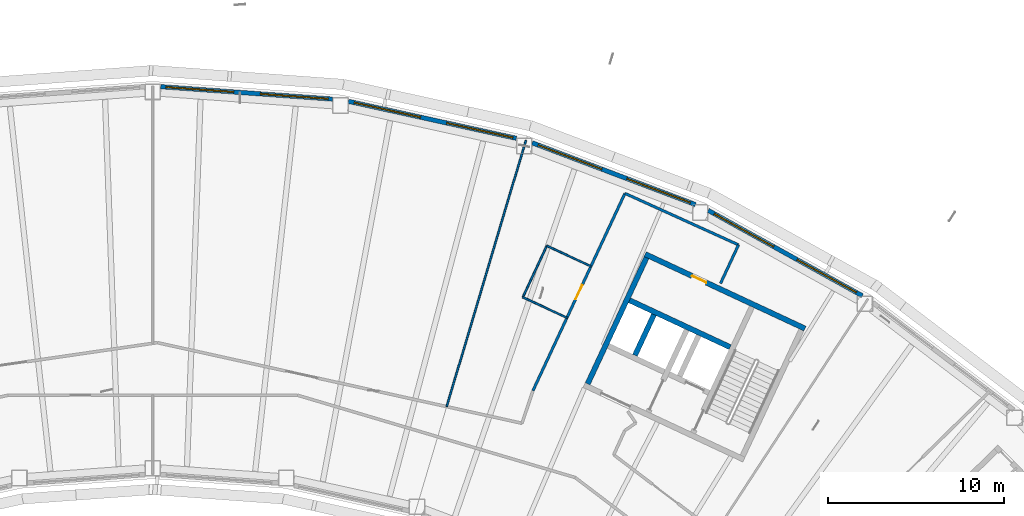
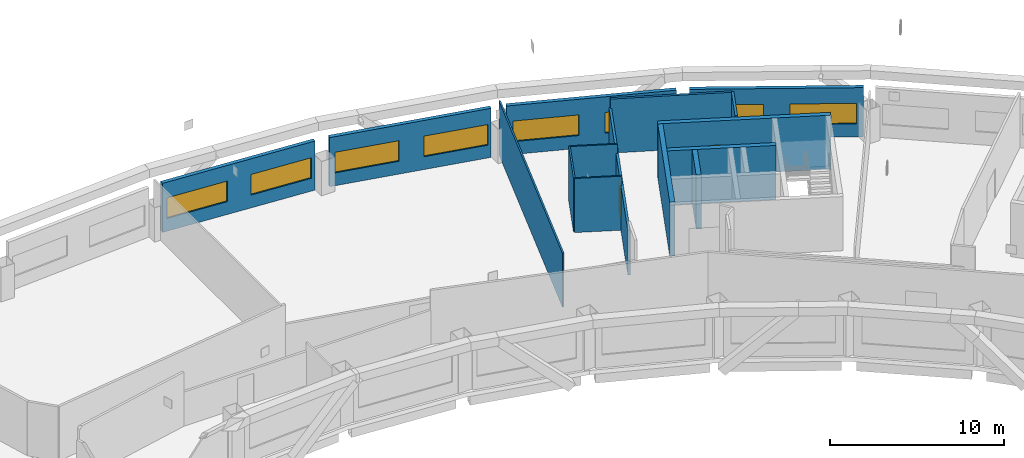
# One storey, part 10 of 20: 15 walls, 8 windows, 2 doors, 10 openings.
"""IFC4 building model written with IfcOpenShell, lengths in metres."""

from ifc_helpers import new_model, si_unit, direction, frame, frame_2d, origin, place, context, subcontext, project, spatial, rectangle, extrude, material, layer, layer_set, type_object, element, fill, save


model = new_model("IFC4")

# Units and contexts
model_context = context("Model", 3, precision=1e-05, world=origin(), true_north=direction((0.0, 1.0)))
body_context = subcontext(model_context, "Body", "Model", "MODEL_VIEW")
ifc_project = project(units=[si_unit("LENGTHUNIT", "METRE"), si_unit("AREAUNIT", "SQUARE_METRE"), si_unit("VOLUMEUNIT", "CUBIC_METRE"), si_unit("PLANEANGLEUNIT", "RADIAN"), si_unit("MASSUNIT", "GRAM", prefix="KILO")], contexts=[model_context])

# Site, building, storey
site_placement = place(None, origin())
site = spatial("IfcSite", under=ifc_project, at=site_placement, CompositionType="ELEMENT")
building_placement = place(site_placement, origin())
building = spatial("IfcBuilding", under=site, at=building_placement, Name="Tuul Gate Civic Tower", CompositionType="ELEMENT")
storey_placement = place(building_placement, frame((0.0, 0.0, 197.300048828125)))
storey = spatial("IfcBuildingStorey", under=building, at=storey_placement, Name="Level 45", CompositionType="ELEMENT", Elevation=197.300048828125)

# Wall
ifc_material_1 = material(Name="Concrete C50/60", Category="concrete")
ifc_layer_1 = layer(ifc_material_1, 0.300048828125)
ifc_layer_set_1 = layer_set([ifc_layer_1], Name="Concrete C50/60")
wall_type_1 = type_object("IfcWallType", Name="Core wall C50/60", PredefinedType="SHEAR", material=ifc_layer_set_1)
wall_1_placement = place(storey_placement, frame((33.75, -0.873779296875, 0.0), z_axis=(0.0, 0.0, 1.0), x_axis=(-0.906300917592, 0.422632992999, 0.0)))
element("IfcWall", 1, at=wall_1_placement, inside=storey, type_object=wall_type_1, Name="Core wall", PredefinedType="SHEAR", context=body_context, shape_type="SweptSolid", body=[
    extrude(rectangle(XDim=6.300048828125, YDim=0.300048828125, at=frame_2d((3.14990234375, 0.0))), origin(), (0.0, 0.0, 1.0), 3.800048828125),
])

# Wall, opening, door
wall_2_placement = place(storey_placement, frame((37.993408203125, 0.181884765625, 0.0), z_axis=(0.0, 0.0, 1.0), x_axis=(-0.906310338845, 0.422612789327, 0.0)))
wall_2 = element("IfcWall", 2, at=wall_2_placement, inside=storey, type_object=wall_type_1, Name="Core wall", PredefinedType="SHEAR", context=body_context, shape_type="SweptSolid", body=[
    extrude(rectangle(XDim=9.999755859375, YDim=0.300048828125, at=frame_2d((5.0, 0.0))), origin(), (0.0, 0.0, 1.0), 3.800048828125),
])
opening_1_placement = place(wall_2_placement, frame((6.175048828125, 0.0, 0.0)))
opening_1 = element("IfcOpeningElement", 3, at=opening_1_placement, cuts=wall_2, Name="Opening P-D16", PredefinedType="OPENING", context=body_context, shape_type="SweptSolid", body=[
    extrude(rectangle(XDim=0.89990234375, YDim=2.10009765625, at=frame_2d((0.449951171875, 1.050048828125))), frame((0.0, 0.16015625, 0.0), z_axis=(0.0, -1.0, 0.0), x_axis=(1.0, 0.0, 0.0)), (0.0, 0.0, 1.0), 0.320068359375),
])
ifc_material_2 = material(Name="Timber door leaf", Category="wood")
door_type = type_object("IfcDoorType", Name="Door D09", OperationType="NOTDEFINED", PredefinedType="DOOR", material=ifc_material_2)
door_1_placement = place(opening_1_placement, origin())
door_1 = element("IfcDoor", 4, at=door_1_placement, inside=storey, type_object=door_type, Name="Door P-D16", OperationType="SINGLE_SWING_LEFT", OverallHeight=2.10009765625, OverallWidth=0.89990234375, PredefinedType="DOOR", context=body_context, shape_type="SweptSolid", body=[
    extrude(rectangle(XDim=0.89990234375, YDim=2.10009765625, at=frame_2d((0.449951171875, 1.050048828125))), frame((0.0, 0.02490234375, 0.0), z_axis=(0.0, -1.0, 0.0), x_axis=(1.0, 0.0, 0.0)), (0.0, 0.0, 1.0), 0.050048828125),
])
fill(opening_1, door_1)

# Walls
wall_3_placement = place(storey_placement, frame((28.349365234375, -1.33447265625, 0.0), z_axis=(0.0, 0.0, 1.0), x_axis=(0.422612891016, 0.906310291427, 0.0)))
element("IfcWall", 5, at=wall_3_placement, inside=storey, type_object=wall_type_1, Name="Core wall", PredefinedType="SHEAR", context=body_context, shape_type="SweptSolid", body=[
    extrude(rectangle(XDim=2.550048828125, YDim=0.300048828125, at=frame_2d((1.27490234375, 0.0))), origin(), (0.0, 0.0, 1.0), 3.800048828125),
])
wall_4_placement = place(storey_placement, frame((25.66455078125, -2.951416015625, 0.0), z_axis=(0.0, 0.0, 1.0), x_axis=(0.422582604137, 0.906324413596, 0.0)))
element("IfcWall", 6, at=wall_4_placement, inside=storey, type_object=wall_type_1, Name="Core wall", PredefinedType="SHEAR", context=body_context, shape_type="SweptSolid", body=[
    extrude(rectangle(XDim=7.89990234375, YDim=0.300048828125, at=frame_2d((3.949951171875, 0.0))), origin(), (0.0, 0.0, 1.0), 3.800048828125),
])
ifc_material_3 = material(Name="Gypsum board partition")
ifc_layer_2 = layer(ifc_material_3, 0.14990234375)
ifc_layer_set_2 = layer_set([ifc_layer_2], Name="Gypsum board partition")
wall_type_2 = type_object("IfcWallType", Name="Corridor wall P150", PredefinedType="PARTITIONING", material=ifc_layer_set_2)
wall_5_placement = place(storey_placement, frame((27.779296875, 7.854736328125, 0.0), z_axis=(0.0, 0.0, 1.0), x_axis=(0.910758370138, -0.412939694416, 0.0)))
element("IfcWall", 7, at=wall_5_placement, inside=storey, type_object=wall_type_2, Name="p038", PredefinedType="PARTITIONING", context=body_context, shape_type="SweptSolid", body=[
    extrude(rectangle(XDim=7.07568359375, YDim=0.14990234375, at=frame_2d((3.537841796875, 0.0))), origin(), (0.0, 0.0, 1.0), 3.800048828125),
])
wall_6_placement = place(storey_placement, frame((33.20361328125, 2.74658203125, 0.0), z_axis=(0.0, 0.0, 1.0), x_axis=(0.422802363572, 0.906221916176, 0.0)))
element("IfcWall", 8, at=wall_6_placement, inside=storey, type_object=wall_type_2, Name="p039", PredefinedType="PARTITIONING", context=body_context, shape_type="SweptSolid", body=[
    extrude(rectangle(XDim=2.41259765625, YDim=0.14990234375, at=frame_2d((1.206298828125, 0.0))), origin(), (0.0, 0.0, 1.0), 3.800048828125),
])

# Wall, opening, door
ifc_material_4 = material(Name="Gypsum board partition")
ifc_layer_3 = layer(ifc_material_4, 0.14990234375)
ifc_layer_set_3 = layer_set([ifc_layer_3], Name="Gypsum board partition")
wall_type_3 = type_object("IfcWallType", Name="Corridor wall P150 3150 HIGH", PredefinedType="PARTITIONING", material=ifc_layer_set_3)
wall_7_placement = place(storey_placement, frame((22.55859375, -3.34228515625, 0.0), z_axis=(0.0, 0.0, 1.0), x_axis=(0.422581445098, 0.906324954009, 0.0)))
wall_7 = element("IfcWall", 9, at=wall_7_placement, inside=storey, type_object=wall_type_3, Name="p020", PredefinedType="PARTITIONING", context=body_context, shape_type="SweptSolid", body=[
    extrude(rectangle(XDim=12.354248046875, YDim=0.14990234375, at=frame_2d((6.17724609375, 0.0))), origin(), (0.0, 0.0, 1.0), 3.14990234375),
])
opening_2_placement = place(wall_7_placement, frame((5.72705078125, 0.0, 0.0)))
opening_2 = element("IfcOpeningElement", 10, at=opening_2_placement, cuts=wall_7, Name="Opening P-D05", PredefinedType="OPENING", context=body_context, shape_type="SweptSolid", body=[
    extrude(rectangle(XDim=0.89990234375, YDim=2.10009765625, at=frame_2d((0.449951171875, 1.050048828125))), frame((0.0, 0.0849609375, 0.0), z_axis=(0.0, -1.0, 0.0), x_axis=(1.0, 0.0, 0.0)), (0.0, 0.0, 1.0), 0.169921875),
])
door_2_placement = place(opening_2_placement, origin())
door_2 = element("IfcDoor", 11, at=door_2_placement, inside=storey, type_object=door_type, Name="Door P-D05", OperationType="SINGLE_SWING_RIGHT", OverallHeight=2.10009765625, OverallWidth=0.89990234375, PredefinedType="DOOR", context=body_context, shape_type="SweptSolid", body=[
    extrude(rectangle(XDim=0.89990234375, YDim=2.10009765625, at=frame_2d((0.449951171875, 1.050048828125))), frame((0.0, 0.02490234375, 0.0), z_axis=(0.0, -1.0, 0.0), x_axis=(1.0, 0.0, 0.0)), (0.0, 0.0, 1.0), 0.050048828125),
])
fill(opening_2, door_2)

# Wall, openings, windows
ifc_material_5 = material(Name="Precast concrete C40/50", Category="concrete")
ifc_layer_4 = layer(ifc_material_5, 0.25)
ifc_layer_set_4 = layer_set([ifc_layer_4], Name="Precast concrete C40/50")
wall_type_4 = type_object("IfcWallType", Name="External wall", PredefinedType="STANDARD", material=ifc_layer_set_4)
wall_8_placement = place(storey_placement, frame((41.251220703125, 2.04296875, 0.0), z_axis=(0.0, 0.0, 1.0), x_axis=(-0.874633566806, 0.484784615903, 0.0)))
wall_8 = element("IfcWall", 12, at=wall_8_placement, inside=storey, type_object=wall_type_4, Name="External wall", PredefinedType="STANDARD", context=body_context, shape_type="SweptSolid", body=[
    extrude(rectangle(XDim=10.001220703125, YDim=0.25, at=frame_2d((5.00048828125, 0.0))), origin(), (0.0, 0.0, 1.0), 3.449951171875),
])
opening_3_placement = place(wall_8_placement, frame((0.386962890625, 0.0, 0.89990234375)))
opening_3 = element("IfcOpeningElement", 13, at=opening_3_placement, cuts=wall_8, Name="Opening W103", PredefinedType="OPENING", context=body_context, shape_type="SweptSolid", body=[
    extrude(rectangle(XDim=3.85009765625, YDim=1.449951171875, at=frame_2d((1.925048828125, 0.72509765625))), frame((0.0, 0.135009765625, 0.0), z_axis=(0.0, -1.0, 0.0), x_axis=(1.0, 0.0, 0.0)), (0.0, 0.0, 1.0), 0.27001953125),
])
opening_4_placement = place(wall_8_placement, frame((5.758056640625, 0.0, 0.89990234375)))
opening_4 = element("IfcOpeningElement", 14, at=opening_4_placement, cuts=wall_8, Name="Opening W103", PredefinedType="OPENING", context=body_context, shape_type="SweptSolid", body=[
    extrude(rectangle(XDim=3.85009765625, YDim=1.449951171875, at=frame_2d((1.925048828125, 0.72509765625))), frame((0.0, 0.135009765625, 0.0), z_axis=(0.0, -1.0, 0.0), x_axis=(1.0, 0.0, 0.0)), (0.0, 0.0, 1.0), 0.27001953125),
])
ifc_material_6 = material(Name="Glass", Category="glass")
window_type = type_object("IfcWindowType", Name="Window W103 3850 x 1450", PartitioningType="SINGLE_PANEL", PredefinedType="WINDOW", material=ifc_material_6)
window_1_placement = place(opening_3_placement, origin())
window_1 = element("IfcWindow", 15, at=window_1_placement, inside=storey, type_object=window_type, Name="Window", OverallHeight=1.449951171875, OverallWidth=3.85009765625, PartitioningType="SINGLE_PANEL", PredefinedType="WINDOW", context=body_context, shape_type="SweptSolid", body=[
    extrude(rectangle(XDim=3.85009765625, YDim=1.449951171875, at=frame_2d((1.925048828125, 0.72509765625))), frame((0.0, 0.030029296875, 0.0), z_axis=(0.0, -1.0, 0.0), x_axis=(1.0, 0.0, 0.0)), (0.0, 0.0, 1.0), 0.06005859375),
])
fill(opening_3, window_1)
window_2_placement = place(opening_4_placement, origin())
window_2 = element("IfcWindow", 16, at=window_2_placement, inside=storey, type_object=window_type, Name="Window", OverallHeight=1.449951171875, OverallWidth=3.85009765625, PartitioningType="SINGLE_PANEL", PredefinedType="WINDOW", context=body_context, shape_type="SweptSolid", body=[
    extrude(rectangle(XDim=3.85009765625, YDim=1.449951171875, at=frame_2d((1.925048828125, 0.72509765625))), frame((0.0, 0.030029296875, 0.0), z_axis=(0.0, -1.0, 0.0), x_axis=(1.0, 0.0, 0.0)), (0.0, 0.0, 1.0), 0.06005859375),
])
fill(opening_4, window_2)

wall_9_placement = place(storey_placement, frame((31.78125, 7.219970703125, 0.0), z_axis=(0.0, 0.0, 1.0), x_axis=(-0.935342915264, 0.353742322694, 0.0)))
wall_9 = element("IfcWall", 17, at=wall_9_placement, inside=storey, type_object=wall_type_4, Name="External wall", PredefinedType="STANDARD", context=body_context, shape_type="SweptSolid", body=[
    extrude(rectangle(XDim=9.904541015625, YDim=0.25, at=frame_2d((4.9521484375, 0.0))), origin(), (0.0, 0.0, 1.0), 3.449951171875),
])
opening_5_placement = place(wall_9_placement, frame((0.31396484375, 0.0, 0.89990234375)))
opening_5 = element("IfcOpeningElement", 18, at=opening_5_placement, cuts=wall_9, Name="Opening W103", PredefinedType="OPENING", context=body_context, shape_type="SweptSolid", body=[
    extrude(rectangle(XDim=3.85009765625, YDim=1.449951171875, at=frame_2d((1.925048828125, 0.72509765625))), frame((0.0, 0.135009765625, 0.0), z_axis=(0.0, -1.0, 0.0), x_axis=(1.0, 0.0, 0.0)), (0.0, 0.0, 1.0), 0.27001953125),
])
opening_6_placement = place(wall_9_placement, frame((5.68505859375, 0.0, 0.89990234375)))
opening_6 = element("IfcOpeningElement", 19, at=opening_6_placement, cuts=wall_9, Name="Opening W103", PredefinedType="OPENING", context=body_context, shape_type="SweptSolid", body=[
    extrude(rectangle(XDim=3.85009765625, YDim=1.449951171875, at=frame_2d((1.925048828125, 0.72509765625))), frame((0.0, 0.135009765625, 0.0), z_axis=(0.0, -1.0, 0.0), x_axis=(1.0, 0.0, 0.0)), (0.0, 0.0, 1.0), 0.27001953125),
])
window_3_placement = place(opening_5_placement, origin())
window_3 = element("IfcWindow", 20, at=window_3_placement, inside=storey, type_object=window_type, Name="Window", OverallHeight=1.449951171875, OverallWidth=3.85009765625, PartitioningType="SINGLE_PANEL", PredefinedType="WINDOW", context=body_context, shape_type="SweptSolid", body=[
    extrude(rectangle(XDim=3.85009765625, YDim=1.449951171875, at=frame_2d((1.925048828125, 0.72509765625))), frame((0.0, 0.030029296875, 0.0), z_axis=(0.0, -1.0, 0.0), x_axis=(1.0, 0.0, 0.0)), (0.0, 0.0, 1.0), 0.06005859375),
])
fill(opening_5, window_3)
window_4_placement = place(opening_6_placement, origin())
window_4 = element("IfcWindow", 21, at=window_4_placement, inside=storey, type_object=window_type, Name="Window", OverallHeight=1.449951171875, OverallWidth=3.85009765625, PartitioningType="SINGLE_PANEL", PredefinedType="WINDOW", context=body_context, shape_type="SweptSolid", body=[
    extrude(rectangle(XDim=3.85009765625, YDim=1.449951171875, at=frame_2d((1.925048828125, 0.72509765625))), frame((0.0, 0.030029296875, 0.0), z_axis=(0.0, -1.0, 0.0), x_axis=(1.0, 0.0, 0.0)), (0.0, 0.0, 1.0), 0.06005859375),
])
fill(opening_6, window_4)

wall_10_placement = place(storey_placement, frame((21.616943359375, 10.978271484375, 0.0), z_axis=(0.0, 0.0, 1.0), x_axis=(-0.976564163257, 0.215226473842, 0.0)))
wall_10 = element("IfcWall", 22, at=wall_10_placement, inside=storey, type_object=wall_type_4, Name="External wall", PredefinedType="STANDARD", context=body_context, shape_type="SweptSolid", body=[
    extrude(rectangle(XDim=9.756591796875, YDim=0.25, at=frame_2d((4.87841796875, 0.0))), origin(), (0.0, 0.0, 1.0), 3.449951171875),
])
opening_7_placement = place(wall_10_placement, frame((0.196044921875, 0.0, 0.89990234375)))
opening_7 = element("IfcOpeningElement", 23, at=opening_7_placement, cuts=wall_10, Name="Opening W103", PredefinedType="OPENING", context=body_context, shape_type="SweptSolid", body=[
    extrude(rectangle(XDim=3.85009765625, YDim=1.449951171875, at=frame_2d((1.925048828125, 0.72509765625))), frame((0.0, 0.135009765625, 0.0), z_axis=(0.0, -1.0, 0.0), x_axis=(1.0, 0.0, 0.0)), (0.0, 0.0, 1.0), 0.27001953125),
])
opening_8_placement = place(wall_10_placement, frame((5.568115234375, 0.0, 0.89990234375)))
opening_8 = element("IfcOpeningElement", 24, at=opening_8_placement, cuts=wall_10, Name="Opening W103", PredefinedType="OPENING", context=body_context, shape_type="SweptSolid", body=[
    extrude(rectangle(XDim=3.85009765625, YDim=1.449951171875, at=frame_2d((1.925048828125, 0.72509765625))), frame((0.0, 0.135009765625, 0.0), z_axis=(0.0, -1.0, 0.0), x_axis=(1.0, 0.0, 0.0)), (0.0, 0.0, 1.0), 0.27001953125),
])
window_5_placement = place(opening_7_placement, origin())
window_5 = element("IfcWindow", 25, at=window_5_placement, inside=storey, type_object=window_type, Name="Window", OverallHeight=1.449951171875, OverallWidth=3.85009765625, PartitioningType="SINGLE_PANEL", PredefinedType="WINDOW", context=body_context, shape_type="SweptSolid", body=[
    extrude(rectangle(XDim=3.85009765625, YDim=1.449951171875, at=frame_2d((1.925048828125, 0.72509765625))), frame((0.0, 0.030029296875, 0.0), z_axis=(0.0, -1.0, 0.0), x_axis=(1.0, 0.0, 0.0)), (0.0, 0.0, 1.0), 0.06005859375),
])
fill(opening_7, window_5)
window_6_placement = place(opening_8_placement, origin())
window_6 = element("IfcWindow", 26, at=window_6_placement, inside=storey, type_object=window_type, Name="Window", OverallHeight=1.449951171875, OverallWidth=3.85009765625, PartitioningType="SINGLE_PANEL", PredefinedType="WINDOW", context=body_context, shape_type="SweptSolid", body=[
    extrude(rectangle(XDim=3.85009765625, YDim=1.449951171875, at=frame_2d((1.925048828125, 0.72509765625))), frame((0.0, 0.030029296875, 0.0), z_axis=(0.0, -1.0, 0.0), x_axis=(1.0, 0.0, 0.0)), (0.0, 0.0, 1.0), 0.06005859375),
])
fill(opening_8, window_6)

wall_11_placement = place(storey_placement, frame((11.18896484375, 13.202880859375, 0.0), z_axis=(0.0, 0.0, 1.0), x_axis=(-0.997385917902, 0.072258776432, 0.0)))
wall_11 = element("IfcWall", 27, at=wall_11_placement, inside=storey, type_object=wall_type_4, Name="External wall", PredefinedType="STANDARD", context=body_context, shape_type="SweptSolid", body=[
    extrude(rectangle(XDim=9.774658203125, YDim=0.25, at=frame_2d((4.88720703125, 0.0))), origin(), (0.0, 0.0, 1.0), 3.449951171875),
])
opening_9_placement = place(wall_11_placement, frame((0.2529296875, 0.0, 0.89990234375)))
opening_9 = element("IfcOpeningElement", 28, at=opening_9_placement, cuts=wall_11, Name="Opening W103", PredefinedType="OPENING", context=body_context, shape_type="SweptSolid", body=[
    extrude(rectangle(XDim=3.85009765625, YDim=1.449951171875, at=frame_2d((1.925048828125, 0.72509765625))), frame((0.0, 0.135009765625, 0.0), z_axis=(0.0, -1.0, 0.0), x_axis=(1.0, 0.0, 0.0)), (0.0, 0.0, 1.0), 0.27001953125),
])
opening_10_placement = place(wall_11_placement, frame((5.6240234375, 0.0, 0.89990234375)))
opening_10 = element("IfcOpeningElement", 29, at=opening_10_placement, cuts=wall_11, Name="Opening W103", PredefinedType="OPENING", context=body_context, shape_type="SweptSolid", body=[
    extrude(rectangle(XDim=3.85009765625, YDim=1.449951171875, at=frame_2d((1.925048828125, 0.72509765625))), frame((0.0, 0.135009765625, 0.0), z_axis=(0.0, -1.0, 0.0), x_axis=(1.0, 0.0, 0.0)), (0.0, 0.0, 1.0), 0.27001953125),
])
window_7_placement = place(opening_9_placement, origin())
window_7 = element("IfcWindow", 30, at=window_7_placement, inside=storey, type_object=window_type, Name="Window", OverallHeight=1.449951171875, OverallWidth=3.85009765625, PartitioningType="SINGLE_PANEL", PredefinedType="WINDOW", context=body_context, shape_type="SweptSolid", body=[
    extrude(rectangle(XDim=3.85009765625, YDim=1.449951171875, at=frame_2d((1.925048828125, 0.72509765625))), frame((0.0, 0.030029296875, 0.0), z_axis=(0.0, -1.0, 0.0), x_axis=(1.0, 0.0, 0.0)), (0.0, 0.0, 1.0), 0.06005859375),
])
fill(opening_9, window_7)
window_8_placement = place(opening_10_placement, origin())
window_8 = element("IfcWindow", 31, at=window_8_placement, inside=storey, type_object=window_type, Name="Window", OverallHeight=1.449951171875, OverallWidth=3.85009765625, PartitioningType="SINGLE_PANEL", PredefinedType="WINDOW", context=body_context, shape_type="SweptSolid", body=[
    extrude(rectangle(XDim=3.85009765625, YDim=1.449951171875, at=frame_2d((1.925048828125, 0.72509765625))), frame((0.0, 0.030029296875, 0.0), z_axis=(0.0, -1.0, 0.0), x_axis=(1.0, 0.0, 0.0)), (0.0, 0.0, 1.0), 0.06005859375),
])
fill(opening_10, window_8)

# Walls
ifc_material_7 = material(Name="Gypsum board partition")
ifc_layer_5 = layer(ifc_material_7, 0.10009765625)
ifc_layer_set_5 = layer_set([ifc_layer_5], Name="Gypsum board partition")
wall_type_5 = type_object("IfcWallType", Name="Partition P100", PredefinedType="PARTITIONING", material=ifc_layer_set_5)
wall_12_placement = place(storey_placement, frame((21.987060546875, 1.963134765625, 0.0), z_axis=(0.0, 0.0, 1.0), x_axis=(0.906334492566, -0.422560986823, 0.0)))
element("IfcWall", 32, at=wall_12_placement, inside=storey, type_object=wall_type_5, Name="p021", PredefinedType="PARTITIONING", context=body_context, shape_type="SweptSolid", body=[
    extrude(rectangle(XDim=2.760009765625, YDim=0.10009765625, at=frame_2d((1.3798828125, 0.0))), origin(), (0.0, 0.0, 1.0), 3.800048828125),
])
wall_13_placement = place(storey_placement, frame((21.987060546875, 1.963134765625, 0.0), z_axis=(0.0, 0.0, 1.0), x_axis=(0.422540927393, 0.906343844618, 0.0)))
element("IfcWall", 33, at=wall_13_placement, inside=storey, type_object=wall_type_5, Name="p022", PredefinedType="PARTITIONING", context=body_context, shape_type="SweptSolid", body=[
    extrude(rectangle(XDim=3.219970703125, YDim=0.10009765625, at=frame_2d((1.60986328125, 0.0))), origin(), (0.0, 0.0, 1.0), 3.800048828125),
])
wall_14_placement = place(storey_placement, frame((23.34765625, 4.881591796875, 0.0), z_axis=(0.0, 0.0, 1.0), x_axis=(0.906300613365, -0.422633645389, 0.0)))
element("IfcWall", 34, at=wall_14_placement, inside=storey, type_object=wall_type_5, Name="p023", PredefinedType="PARTITIONING", context=body_context, shape_type="SweptSolid", body=[
    extrude(rectangle(XDim=2.760009765625, YDim=0.10009765625, at=frame_2d((1.3798828125, 0.0))), origin(), (0.0, 0.0, 1.0), 3.800048828125),
])
wall_15_placement = place(storey_placement, frame((17.664794921875, -4.24560546875, 0.0), z_axis=(0.0, 0.0, 1.0), x_axis=(0.285214469951, 0.958463721865, 0.0)))
element("IfcWall", 35, at=wall_15_placement, inside=storey, type_object=wall_type_5, Name="p026", PredefinedType="PARTITIONING", context=body_context, shape_type="SweptSolid", body=[
    extrude(rectangle(XDim=15.763916015625, YDim=0.10009765625, at=frame_2d((7.8818359375, 0.0))), origin(), (0.0, 0.0, 1.0), 3.800048828125),
])

save(model, "model.ifc")
